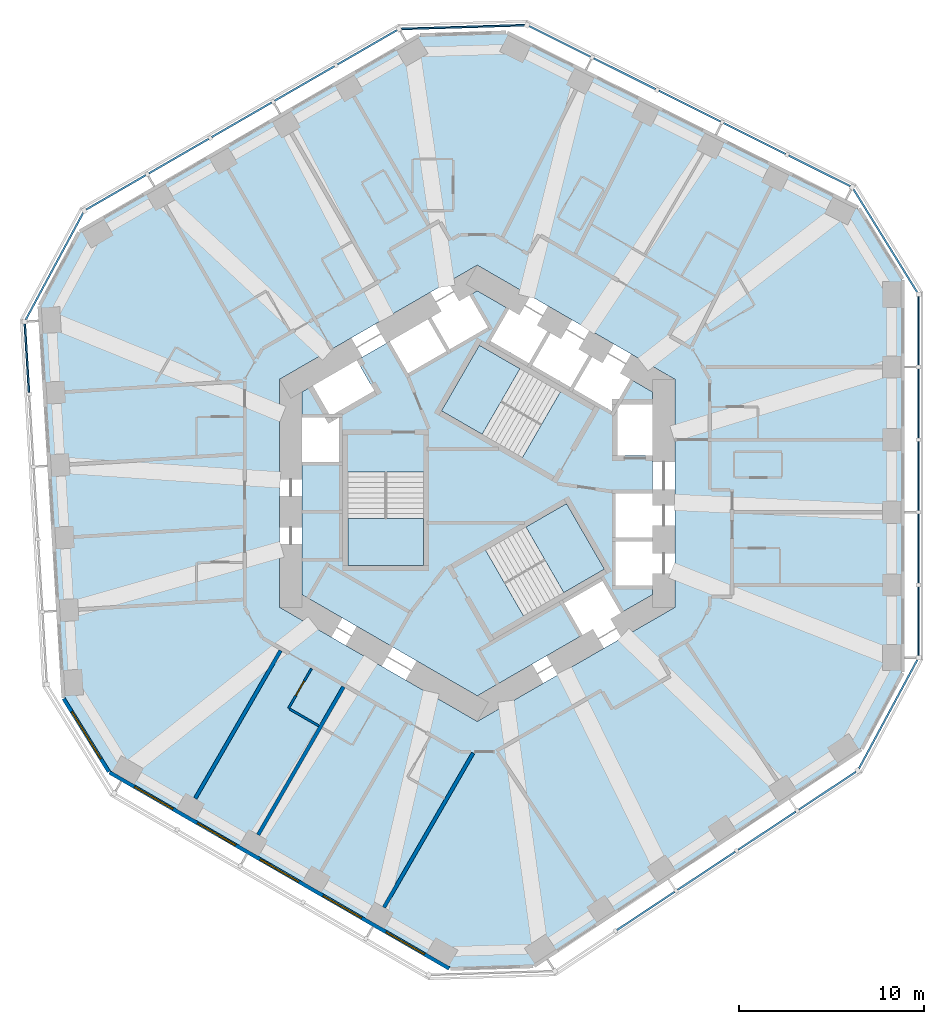
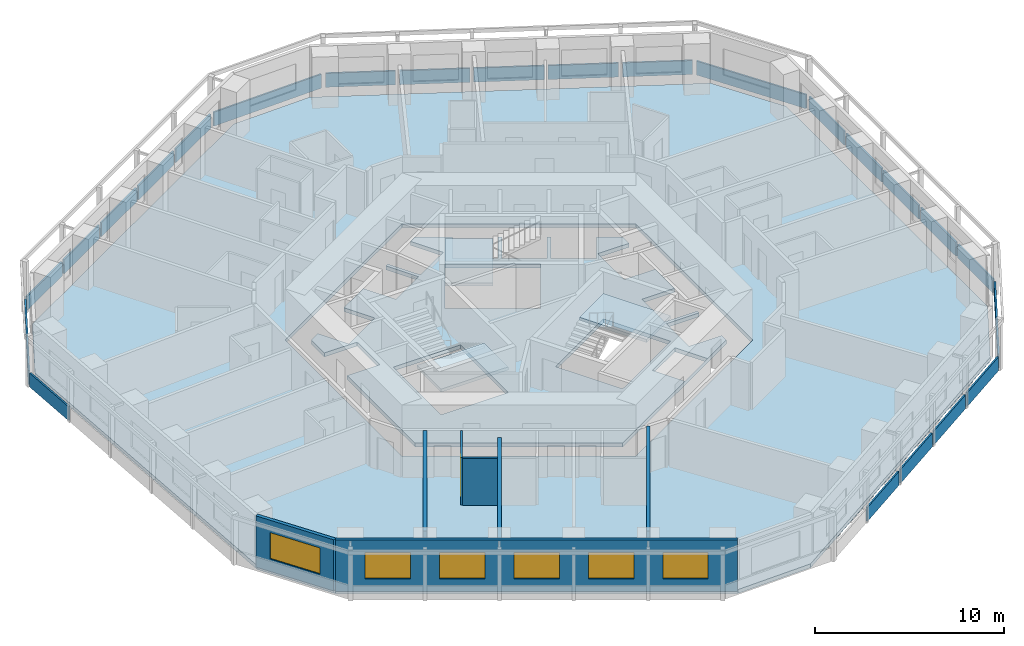
# One storey, part 3 of 12: 24 plates, 7 walls, 6 windows, 5 slabs, 1 door, 7 openings, 12 elements without a shape of their own.
"""IFC4 building model written with IfcOpenShell, lengths in metres."""

from ifc_helpers import new_model, si_unit, direction, frame, frame_2d, origin, origin_2d, place, context, subcontext, project, spatial, polyline, rectangle, outline, extrude, material, layer, layer_set, type_object, element, fill, aggregate, save


model = new_model("IFC4")

# Units and contexts
model_context = context("Model", 3, precision=1e-05, world=origin(), true_north=direction((0.0, 1.0)))
body_context = subcontext(model_context, "Body", "Model", "MODEL_VIEW")
ifc_project = project(units=[si_unit("LENGTHUNIT", "METRE"), si_unit("AREAUNIT", "SQUARE_METRE"), si_unit("VOLUMEUNIT", "CUBIC_METRE"), si_unit("PLANEANGLEUNIT", "RADIAN"), si_unit("MASSUNIT", "GRAM", prefix="KILO")], contexts=[model_context])

# Site, building, storey
site_placement = place(None, origin())
site = spatial("IfcSite", under=ifc_project, at=site_placement, CompositionType="ELEMENT")
building_placement = place(site_placement, origin())
building = spatial("IfcBuilding", under=site, at=building_placement, Name="Vanh Sen Convention Tower", CompositionType="ELEMENT")
storey_placement = place(building_placement, frame((0.0, 0.0, 86.89990234375)))
storey = spatial("IfcBuildingStorey", under=building, at=storey_placement, Name="L19", CompositionType="ELEMENT", Elevation=86.89990234375)

# Slabs
ifc_material_1 = material(Name="Concrete C40/50", Category="concrete")
ifc_layer_1 = layer(ifc_material_1, 0.25)
ifc_layer_set_1 = layer_set([ifc_layer_1], Name="Concrete C40/50")
slab_type_1 = type_object("IfcSlabType", Name="Core slab 250", PredefinedType="FLOOR", material=ifc_layer_set_1)
slab_1_placement = place(storey_placement, frame((0.0, 0.0, -0.25)))
element("IfcSlab", 1, at=slab_1_placement, inside=storey, type_object=slab_type_1, Name="Core slab L19", PredefinedType="FLOOR", context=body_context, shape_type="SweptSolid", body=[
    extrude(outline(polyline([(9.5, 5.48486328125), (9.5, 4.800048828125), (7.60009765625, 4.800048828125), (7.60009765625, 2.050048828125), (9.5, 2.050048828125), (9.5, 0.0), (7.5, 0.0), (7.5, -2.39990234375), (9.5, -2.39990234375), (9.5, -2.60009765625), (7.5, -2.60009765625), (7.5, -5.0), (9.5, -5.0), (9.5, -5.48486328125), (0.0, -10.9697265625), (-9.5, -5.48486328125), (-9.5, 1.699951171875), (-7.5, 1.699951171875), (-7.5, 4.10009765625), (-9.5, 4.10009765625), (-9.5, 5.48486328125), (-8.906982421875, 5.8271484375), (-7.956787109375, 4.181884765625), (-5.575439453125, 5.556884765625), (-6.525390625, 7.2021484375), (-4.75, 8.227294921875), (-3.75, 6.4951171875), (-1.67138671875, 7.6953125), (-2.67138671875, 9.42724609375), (-2.498291015625, 9.527099609375), (-1.498291015625, 7.795166015625), (0.580078125, 8.9951171875), (-0.419921875, 10.727294921875), (0.0, 10.9697265625), (1.718994140625, 9.977294921875), (0.718994140625, 8.2451171875), (2.79736328125, 7.045166015625), (3.79736328125, 8.777099609375), (3.970703125, 8.67724609375), (2.970703125, 6.9453125), (5.049072265625, 5.7451171875), (6.049072265625, 7.477294921875), (6.22216796875, 7.377197265625), (5.22216796875, 5.645263671875), (7.30078125, 4.4453125), (8.30078125, 6.17724609375), (9.5, 5.48486328125)]), holes=[polyline([(-7.0, 3.14990234375), (-7.0, -3.909912109375), (-2.89990234375, -3.909912109375), (-2.89990234375, 3.14990234375), (-2.89990234375, 1.1494140625), (-7.0, 1.1494140625), (-7.0, 3.14990234375)]), polyline([(4.495361328125, 5.487548828125), (6.22802734375, 4.4873046875), (0.11376953125, 8.01708984375), (-1.936279296875, 4.466552734375), (2.4453125, 1.936767578125), (4.495361328125, 5.487548828125)]), polyline([(7.781005859375, -6.477294921875), (6.781005859375, -4.7451171875), (4.70263671875, -5.9453125), (5.70263671875, -7.67724609375), (7.781005859375, -6.477294921875)]), polyline([(0.45458984375, -3.086181640625), (2.504638671875, -6.63671875), (6.88623046875, -4.107177734375), (4.836181640625, -0.556396484375), (-1.278076171875, -4.08642578125), (0.45458984375, -3.086181640625)])]), origin(), (0.0, 0.0, 1.0), 0.25),
])
ifc_layer_2 = layer(ifc_material_1, 0.25)
ifc_layer_set_2 = layer_set([ifc_layer_2], Name="Concrete C40/50")
slab_type_2 = type_object("IfcSlabType", Name="Floor slab 250 REI 120", PredefinedType="FLOOR", material=ifc_layer_set_2)
slab_2_placement = place(storey_placement, frame((0.0, 0.0, -0.25)))
element("IfcSlab", 2, at=slab_2_placement, inside=storey, type_object=slab_type_2, Name="Floor slab L19 tower", PredefinedType="FLOOR", context=body_context, shape_type="SweptSolid", body=[
    extrude(outline(polyline([(23.0, -9.69921875), (23.0, 11.57373046875), (20.620361328125, 15.419189453125), (1.58251953125, 24.911376953125), (-3.10009765625, 24.768310546875), (-21.523193359375, 14.131591796875), (-23.663818359375, 10.14794921875), (-22.364990234375, -11.085205078125), (-19.89990234375, -15.069091796875), (-1.476806640625, -25.705322265625), (3.04345703125, -25.5673828125), (20.78271484375, -13.825927734375), (23.0, -9.69921875)]), holes=[polyline([(0.0, 12.355224609375), (-10.699951171875, 6.177490234375), (-10.699951171875, -6.177490234375), (0.0, -12.355224609375), (10.699951171875, -6.177490234375), (10.699951171875, 6.177490234375), (0.0, 12.355224609375)])]), origin(), (0.0, 0.0, 1.0), 0.25),
])

# Curtain wall, plates
ifc_material_2 = material(Name="Concrete C50/60", Category="concrete")
curtain_wall_type = type_object("IfcCurtainWallType", Name="Outer skin hotel zone", PredefinedType="NOTDEFINED", material=ifc_material_2)
curtain_wall_1_placement = place(storey_placement, origin())
curtain_wall_1 = element("IfcCurtainWall", 3, at=curtain_wall_1_placement, inside=storey, type_object=curtain_wall_type, Name="OUTER SKIN E L19", PredefinedType="NOTDEFINED")
ifc_layer_3 = layer(ifc_material_2, 0.10009765625)
ifc_layer_set_3 = layer_set([ifc_layer_3], Name="Concrete C50/60")
plate_type = type_object("IfcPlateType", Name="Outer skin precast screen panel 100", PredefinedType="CURTAIN_PANEL", material=ifc_layer_set_3)
plate_1_placement = place(storey_placement, frame((23.89990234375, -6.91943359375, 0.000244140625), z_axis=(0.0, 0.0, 1.0), x_axis=(0.0, 1.0, 0.0)))
plate_1 = element("IfcPlate", 4, at=plate_1_placement, type_object=plate_type, Name="OUTER SKIN screen panel E-1", PredefinedType="CURTAIN_PANEL", context=body_context, shape_type="SweptSolid", body=[
    extrude(rectangle(XDim=3.709716796875, YDim=0.10009765625, at=origin_2d()), origin(), (0.0, 0.0, 1.0), 0.89990234375),
])
plate_2_placement = place(storey_placement, frame((23.89990234375, -2.997314453125, 0.000244140625), z_axis=(0.0, 0.0, 1.0), x_axis=(0.0, 1.0, 0.0)))
plate_2 = element("IfcPlate", 5, at=plate_2_placement, type_object=plate_type, Name="OUTER SKIN screen panel E-2", PredefinedType="CURTAIN_PANEL", context=body_context, shape_type="SweptSolid", body=[
    extrude(rectangle(XDim=3.734619140625, YDim=0.10009765625, at=origin_2d()), origin(), (0.0, 0.0, 1.0), 0.89990234375),
])
plate_3_placement = place(storey_placement, frame((23.89990234375, 0.937255859375, 0.000244140625), z_axis=(0.0, 0.0, 1.0), x_axis=(0.0, 1.0, 0.0)))
plate_3 = element("IfcPlate", 6, at=plate_3_placement, type_object=plate_type, Name="OUTER SKIN screen panel E-3", PredefinedType="CURTAIN_PANEL", context=body_context, shape_type="SweptSolid", body=[
    extrude(rectangle(XDim=3.734619140625, YDim=0.10009765625, at=origin_2d()), origin(), (0.0, 0.0, 1.0), 0.89990234375),
])
plate_4_placement = place(storey_placement, frame((23.89990234375, 4.871826171875, 0.000244140625), z_axis=(0.0, 0.0, 1.0), x_axis=(0.0, 1.0, 0.0)))
plate_4 = element("IfcPlate", 7, at=plate_4_placement, type_object=plate_type, Name="OUTER SKIN screen panel E-4", PredefinedType="CURTAIN_PANEL", context=body_context, shape_type="SweptSolid", body=[
    extrude(rectangle(XDim=3.734619140625, YDim=0.10009765625, at=origin_2d()), origin(), (0.0, 0.0, 1.0), 0.89990234375),
])
plate_5_placement = place(storey_placement, frame((23.89990234375, 8.7939453125, 0.000244140625), z_axis=(0.0, 0.0, 1.0), x_axis=(0.0, 1.0, 0.0)))
plate_5 = element("IfcPlate", 8, at=plate_5_placement, type_object=plate_type, Name="OUTER SKIN screen panel E-5", PredefinedType="CURTAIN_PANEL", context=body_context, shape_type="SweptSolid", body=[
    extrude(rectangle(XDim=3.709716796875, YDim=0.10009765625, at=origin_2d()), origin(), (0.0, 0.0, 1.0), 0.89990234375),
])
aggregate(curtain_wall_1, [plate_1, plate_2, plate_3, plate_4, plate_5])

# Curtain wall, plate
curtain_wall_2_placement = place(storey_placement, origin())
curtain_wall_2 = element("IfcCurtainWall", 9, at=curtain_wall_2_placement, inside=storey, type_object=curtain_wall_type, Name="OUTER SKIN CH1 L19", PredefinedType="NOTDEFINED")
plate_6_placement = place(storey_placement, frame((22.102783203125, 13.677734375, 0.000244140625), z_axis=(0.0, 0.0, 1.0), x_axis=(-0.526212439506, 0.850353143411, 0.0)))
plate_6 = element("IfcPlate", 10, at=plate_6_placement, type_object=plate_type, Name="OUTER SKIN screen panel CH1-1", PredefinedType="CURTAIN_PANEL", context=body_context, shape_type="SweptSolid", body=[
    extrude(rectangle(XDim=6.580078125, YDim=0.10009765625, at=origin_2d()), origin(), (0.0, 0.0, 1.0), 0.89990234375),
])
aggregate(curtain_wall_2, [plate_6])

# Curtain wall, plates
curtain_wall_3_placement = place(storey_placement, origin())
curtain_wall_3 = element("IfcCurtainWall", 11, at=curtain_wall_3_placement, inside=storey, type_object=curtain_wall_type, Name="OUTER SKIN NE L19", PredefinedType="NOTDEFINED")
plate_7_placement = place(storey_placement, frame((18.5341796875, 17.465087890625, 0.000244140625), z_axis=(0.0, 0.0, 1.0), x_axis=(-0.894935140363, 0.446196251154, 0.0)))
plate_7 = element("IfcPlate", 12, at=plate_7_placement, type_object=plate_type, Name="OUTER SKIN screen panel NE-1", PredefinedType="CURTAIN_PANEL", context=body_context, shape_type="SweptSolid", body=[
    extrude(rectangle(XDim=3.709716796875, YDim=0.10009765625, at=origin_2d()), origin(), (0.0, 0.0, 1.0), 0.89990234375),
])
plate_8_placement = place(storey_placement, frame((15.024169921875, 19.215087890625, 0.000244140625), z_axis=(0.0, 0.0, 1.0), x_axis=(-0.894935140363, 0.446196251154, 0.0)))
plate_8 = element("IfcPlate", 13, at=plate_8_placement, type_object=plate_type, Name="OUTER SKIN screen panel NE-2", PredefinedType="CURTAIN_PANEL", context=body_context, shape_type="SweptSolid", body=[
    extrude(rectangle(XDim=3.734619140625, YDim=0.10009765625, at=origin_2d()), origin(), (0.0, 0.0, 1.0), 0.89990234375),
])
plate_9_placement = place(storey_placement, frame((11.5029296875, 20.970703125, 0.000244140625), z_axis=(0.0, 0.0, 1.0), x_axis=(-0.894935140363, 0.446196251154, 0.0)))
plate_9 = element("IfcPlate", 14, at=plate_9_placement, type_object=plate_type, Name="OUTER SKIN screen panel NE-3", PredefinedType="CURTAIN_PANEL", context=body_context, shape_type="SweptSolid", body=[
    extrude(rectangle(XDim=3.734619140625, YDim=0.10009765625, at=origin_2d()), origin(), (0.0, 0.0, 1.0), 0.89990234375),
])
plate_10_placement = place(storey_placement, frame((7.981689453125, 22.726318359375, 0.000244140625), z_axis=(0.0, 0.0, 1.0), x_axis=(-0.894935140363, 0.446196251154, 0.0)))
plate_10 = element("IfcPlate", 15, at=plate_10_placement, type_object=plate_type, Name="OUTER SKIN screen panel NE-4", PredefinedType="CURTAIN_PANEL", context=body_context, shape_type="SweptSolid", body=[
    extrude(rectangle(XDim=3.734619140625, YDim=0.10009765625, at=origin_2d()), origin(), (0.0, 0.0, 1.0), 0.89990234375),
])
plate_11_placement = place(storey_placement, frame((4.4716796875, 24.476318359375, 0.000244140625), z_axis=(0.0, 0.0, 1.0), x_axis=(-0.894935140363, 0.446196251154, 0.0)))
plate_11 = element("IfcPlate", 16, at=plate_11_placement, type_object=plate_type, Name="OUTER SKIN screen panel NE-5", PredefinedType="CURTAIN_PANEL", context=body_context, shape_type="SweptSolid", body=[
    extrude(rectangle(XDim=3.709716796875, YDim=0.10009765625, at=origin_2d()), origin(), (0.0, 0.0, 1.0), 0.89990234375),
])
aggregate(curtain_wall_3, [plate_7, plate_8, plate_9, plate_10, plate_11])

# Curtain wall, plate
curtain_wall_4_placement = place(storey_placement, origin())
curtain_wall_4 = element("IfcCurtainWall", 17, at=curtain_wall_4_placement, inside=storey, type_object=curtain_wall_type, Name="OUTER SKIN CH2 L19", PredefinedType="NOTDEFINED")
plate_12_placement = place(storey_placement, frame((-0.771484375, 25.253662109375, 0.000244140625), z_axis=(0.0, 0.0, 1.0), x_axis=(-0.999533644135, -0.030536768695, 0.0)))
plate_12 = element("IfcPlate", 18, at=plate_12_placement, type_object=plate_type, Name="OUTER SKIN screen panel CH2-1", PredefinedType="CURTAIN_PANEL", context=body_context, shape_type="SweptSolid", body=[
    extrude(rectangle(XDim=6.696044921875, YDim=0.10009765625, at=origin_2d()), origin(), (0.0, 0.0, 1.0), 0.89990234375),
])
aggregate(curtain_wall_4, [plate_12])

# Curtain wall, plates
curtain_wall_5_placement = place(storey_placement, origin())
curtain_wall_5 = element("IfcCurtainWall", 19, at=curtain_wall_5_placement, inside=storey, type_object=curtain_wall_type, Name="OUTER SKIN NW L19", PredefinedType="NOTDEFINED")
plate_13_placement = place(storey_placement, frame((-5.95751953125, 24.15771484375, 0.000244140625), z_axis=(0.0, 0.0, 1.0), x_axis=(-0.866028021766, -0.499995465495, 0.0)))
plate_13 = element("IfcPlate", 20, at=plate_13_placement, type_object=plate_type, Name="OUTER SKIN screen panel NW-1", PredefinedType="CURTAIN_PANEL", context=body_context, shape_type="SweptSolid", body=[
    extrude(rectangle(XDim=3.709716796875, YDim=0.10009765625, at=origin_2d()), origin(), (0.0, 0.0, 1.0), 0.89990234375),
])
plate_14_placement = place(storey_placement, frame((-9.354248046875, 22.19677734375, 0.000244140625), z_axis=(0.0, 0.0, 1.0), x_axis=(-0.866021040428, -0.500007557478, 0.0)))
plate_14 = element("IfcPlate", 21, at=plate_14_placement, type_object=plate_type, Name="OUTER SKIN screen panel NW-2", PredefinedType="CURTAIN_PANEL", context=body_context, shape_type="SweptSolid", body=[
    extrude(rectangle(XDim=3.734619140625, YDim=0.10009765625, at=origin_2d()), origin(), (0.0, 0.0, 1.0), 0.89990234375),
])
plate_15_placement = place(storey_placement, frame((-12.76171875, 20.2294921875, 0.000244140625), z_axis=(0.0, 0.0, 1.0), x_axis=(-0.866028021766, -0.499995465495, 0.0)))
plate_15 = element("IfcPlate", 22, at=plate_15_placement, type_object=plate_type, Name="OUTER SKIN screen panel NW-3", PredefinedType="CURTAIN_PANEL", context=body_context, shape_type="SweptSolid", body=[
    extrude(rectangle(XDim=3.734619140625, YDim=0.10009765625, at=origin_2d()), origin(), (0.0, 0.0, 1.0), 0.89990234375),
])
plate_16_placement = place(storey_placement, frame((-16.169189453125, 18.26220703125, 0.000244140625), z_axis=(0.0, 0.0, 1.0), x_axis=(-0.866028021766, -0.499995465495, 0.0)))
plate_16 = element("IfcPlate", 23, at=plate_16_placement, type_object=plate_type, Name="OUTER SKIN screen panel NW-4", PredefinedType="CURTAIN_PANEL", context=body_context, shape_type="SweptSolid", body=[
    extrude(rectangle(XDim=3.734619140625, YDim=0.10009765625, at=origin_2d()), origin(), (0.0, 0.0, 1.0), 0.89990234375),
])
plate_17_placement = place(storey_placement, frame((-19.56591796875, 16.301025390625, 0.000244140625), z_axis=(0.0, 0.0, 1.0), x_axis=(-0.866021040428, -0.500007557478, 0.0)))
plate_17 = element("IfcPlate", 24, at=plate_17_placement, type_object=plate_type, Name="OUTER SKIN screen panel NW-5", PredefinedType="CURTAIN_PANEL", context=body_context, shape_type="SweptSolid", body=[
    extrude(rectangle(XDim=3.70947265625, YDim=0.10009765625, at=origin_2d()), origin(), (0.0, 0.0, 1.0), 0.89990234375),
])
aggregate(curtain_wall_5, [plate_13, plate_14, plate_15, plate_16, plate_17])

# Curtain wall, plate
curtain_wall_6_placement = place(storey_placement, origin())
curtain_wall_6 = element("IfcCurtainWall", 25, at=curtain_wall_6_placement, inside=storey, type_object=curtain_wall_type, Name="OUTER SKIN CH3 L19", PredefinedType="NOTDEFINED")
plate_18_placement = place(storey_placement, frame((-22.896728515625, 12.302978515625, 0.000244140625), z_axis=(0.0, 0.0, 1.0), x_axis=(-0.47331812974, -0.880891564303, 0.0)))
plate_18 = element("IfcPlate", 26, at=plate_18_placement, type_object=plate_type, Name="OUTER SKIN screen panel CH3-1", PredefinedType="CURTAIN_PANEL", context=body_context, shape_type="SweptSolid", body=[
    extrude(rectangle(XDim=6.580078125, YDim=0.10009765625, at=origin_2d()), origin(), (0.0, 0.0, 1.0), 0.89990234375),
])
aggregate(curtain_wall_6, [plate_18])

curtain_wall_7_placement = place(storey_placement, origin())
curtain_wall_7 = element("IfcCurtainWall", 27, at=curtain_wall_7_placement, inside=storey, type_object=curtain_wall_type, Name="OUTER SKIN W L19", PredefinedType="NOTDEFINED")
plate_19_placement = place(storey_placement, frame((-24.39208984375, 7.318603515625, 0.000244140625), z_axis=(0.0, 0.0, 1.0), x_axis=(0.061046797461, -0.99813490497, 0.0)))
plate_19 = element("IfcPlate", 28, at=plate_19_placement, type_object=plate_type, Name="OUTER SKIN screen panel W-1", PredefinedType="CURTAIN_PANEL", context=body_context, shape_type="SweptSolid", body=[
    extrude(rectangle(XDim=3.709716796875, YDim=0.10009765625, at=origin_2d()), origin(), (0.0, 0.0, 1.0), 0.89990234375),
])
aggregate(curtain_wall_7, [plate_19])

# Curtain wall, plates
curtain_wall_8_placement = place(storey_placement, origin())
curtain_wall_8 = element("IfcCurtainWall", 29, at=curtain_wall_8_placement, inside=storey, type_object=curtain_wall_type, Name="OUTER SKIN SE L19", PredefinedType="NOTDEFINED")
plate_20_placement = place(storey_placement, frame((9.128662109375, -22.618896484375, 0.000244140625), z_axis=(0.0, 0.0, 1.0), x_axis=(0.833891601892, 0.55192825285, 0.0)))
plate_20 = element("IfcPlate", 30, at=plate_20_placement, type_object=plate_type, Name="OUTER SKIN screen panel SE-2", PredefinedType="CURTAIN_PANEL", context=body_context, shape_type="SweptSolid", body=[
    extrude(rectangle(XDim=3.734619140625, YDim=0.10009765625, at=origin_2d()), origin(), (0.0, 0.0, 1.0), 0.89990234375),
])
plate_21_placement = place(storey_placement, frame((12.40966796875, -20.447265625, 0.000244140625), z_axis=(0.0, 0.0, 1.0), x_axis=(0.833880042151, 0.551945717714, 0.0)))
plate_21 = element("IfcPlate", 31, at=plate_21_placement, type_object=plate_type, Name="OUTER SKIN screen panel SE-3", PredefinedType="CURTAIN_PANEL", context=body_context, shape_type="SweptSolid", body=[
    extrude(rectangle(XDim=3.734619140625, YDim=0.10009765625, at=origin_2d()), origin(), (0.0, 0.0, 1.0), 0.89990234375),
])
plate_22_placement = place(storey_placement, frame((15.690673828125, -18.275390625, 0.000244140625), z_axis=(0.0, 0.0, 1.0), x_axis=(0.833891601892, 0.55192825285, 0.0)))
plate_22 = element("IfcPlate", 32, at=plate_22_placement, type_object=plate_type, Name="OUTER SKIN screen panel SE-4", PredefinedType="CURTAIN_PANEL", context=body_context, shape_type="SweptSolid", body=[
    extrude(rectangle(XDim=3.734619140625, YDim=0.10009765625, at=origin_2d()), origin(), (0.0, 0.0, 1.0), 0.89990234375),
])
plate_23_placement = place(storey_placement, frame((18.961181640625, -16.11083984375, 0.000244140625), z_axis=(0.0, 0.0, 1.0), x_axis=(0.833880042151, 0.551945717714, 0.0)))
plate_23 = element("IfcPlate", 33, at=plate_23_placement, type_object=plate_type, Name="OUTER SKIN screen panel SE-5", PredefinedType="CURTAIN_PANEL", context=body_context, shape_type="SweptSolid", body=[
    extrude(rectangle(XDim=3.709716796875, YDim=0.10009765625, at=origin_2d()), origin(), (0.0, 0.0, 1.0), 0.89990234375),
])
aggregate(curtain_wall_8, [plate_20, plate_21, plate_22, plate_23])

# Curtain wall, plate
curtain_wall_9_placement = place(storey_placement, origin())
curtain_wall_9 = element("IfcCurtainWall", 34, at=curtain_wall_9_placement, inside=storey, type_object=curtain_wall_type, Name="OUTER SKIN CH6 L19", PredefinedType="NOTDEFINED")
plate_24_placement = place(storey_placement, frame((22.256103515625, -11.95849609375, 0.000244140625), z_axis=(0.0, 0.0, 1.0), x_axis=(0.473322742071, 0.880889086003, 0.0)))
plate_24 = element("IfcPlate", 35, at=plate_24_placement, type_object=plate_type, Name="OUTER SKIN screen panel CH6-1", PredefinedType="CURTAIN_PANEL", context=body_context, shape_type="SweptSolid", body=[
    extrude(rectangle(XDim=6.6962890625, YDim=0.10009765625, at=origin_2d()), origin(), (0.0, 0.0, 1.0), 0.89990234375),
])
aggregate(curtain_wall_9, [plate_24])

# Stair, slab
ifc_material_3 = material(Name="Concrete C50/60", Category="concrete")
stair_type_1 = type_object("IfcStairType", Name="Exit stair ST1 20 risers at 165.0", PredefinedType="HALF_TURN_STAIR", material=ifc_material_3)
stair_1_placement = place(storey_placement, origin())
stair_1 = element("IfcStair", 36, at=stair_1_placement, inside=storey, type_object=stair_type_1, Name="Exit stair ST1 L19", PredefinedType="HALF_TURN_STAIR")
ifc_layer_4 = layer(ifc_material_1, 0.199951171875)
ifc_layer_set_4 = layer_set([ifc_layer_4], Name="Concrete C40/50")
slab_type_3 = type_object("IfcSlabType", Name="Stair landing 200", PredefinedType="LANDING", material=ifc_layer_set_4)
slab_3_placement = place(storey_placement, frame((0.0, 0.0, 1.4501953125)))
slab_3 = element("IfcSlab", 37, at=slab_3_placement, type_object=slab_type_3, Name="ST1 landing 1", PredefinedType="LANDING", context=body_context, shape_type="SweptSolid", body=[
    extrude(outline(polyline([(2.314208984375, 6.746826171875), (0.11376953125, 8.01708984375), (-1.936279296875, 4.466552734375), (0.26416015625, 3.196044921875), (2.314208984375, 6.746826171875)])), origin(), (0.0, 0.0, 1.0), 0.199951171875),
])
aggregate(stair_1, [slab_3])

stair_type_2 = type_object("IfcStairType", Name="Exit stair ST2 20 risers at 165.0", PredefinedType="HALF_TURN_STAIR", material=ifc_material_3)
stair_2_placement = place(storey_placement, origin())
stair_2 = element("IfcStair", 38, at=stair_2_placement, inside=storey, type_object=stair_type_2, Name="Exit stair ST2 L19", PredefinedType="HALF_TURN_STAIR")
slab_4_placement = place(storey_placement, frame((0.0, 0.0, 1.4501953125)))
slab_4 = element("IfcSlab", 39, at=slab_4_placement, type_object=slab_type_3, Name="ST2 landing 1", PredefinedType="LANDING", context=body_context, shape_type="SweptSolid", body=[
    extrude(outline(polyline([(-7.0, -1.369384765625), (-7.0, -3.909912109375), (-2.89990234375, -3.909912109375), (-2.89990234375, -1.369384765625), (-7.0, -1.369384765625)])), origin(), (0.0, 0.0, 1.0), 0.199951171875),
])
aggregate(stair_2, [slab_4])

stair_type_3 = type_object("IfcStairType", Name="Exit stair ST3 20 risers at 165.0", PredefinedType="HALF_TURN_STAIR", material=ifc_material_3)
stair_3_placement = place(storey_placement, origin())
stair_3 = element("IfcStair", 40, at=stair_3_placement, inside=storey, type_object=stair_type_3, Name="Exit stair ST3 L19", PredefinedType="HALF_TURN_STAIR")
slab_5_placement = place(storey_placement, frame((0.0, 0.0, 1.4501953125)))
slab_5 = element("IfcSlab", 41, at=slab_5_placement, type_object=slab_type_3, Name="ST3 landing 1", PredefinedType="LANDING", context=body_context, shape_type="SweptSolid", body=[
    extrude(outline(polyline([(4.685791015625, -5.37744140625), (6.88623046875, -4.107177734375), (4.836181640625, -0.556396484375), (2.6357421875, -1.826904296875), (4.685791015625, -5.37744140625)])), origin(), (0.0, 0.0, 1.0), 0.199951171875),
])
aggregate(stair_3, [slab_5])

# Wall, opening, door
ifc_material_4 = material(Name="Moisture-resistant gypsum board on steel studs", Category="steel")
ifc_layer_5 = layer(ifc_material_4, 0.1201171875)
ifc_layer_set_5 = layer_set([ifc_layer_5], Name="Moisture-resistant gypsum board on steel studs")
wall_type_1 = type_object("IfcWallType", Name="Bathroom partition 120", PredefinedType="PARTITIONING", material=ifc_layer_set_5)
wall_1_placement = place(storey_placement, frame((-10.22412109375, -11.6484375, 0.0), z_axis=(0.0, 0.0, 1.0), x_axis=(0.500004234368, 0.866022959057, 0.0)))
wall_1 = element("IfcWall", 42, at=wall_1_placement, inside=storey, type_object=wall_type_1, Name="Bathroom partition 120", PredefinedType="PARTITIONING", context=body_context, shape_type="SweptSolid", body=[
    extrude(rectangle(XDim=2.5, YDim=0.1201171875, at=frame_2d((1.25, 0.0))), origin(), (0.0, 0.0, 1.0), 3.050048828125),
])
opening_1_placement = place(wall_1_placement, frame((0.800048828125, 0.0, 0.0)))
opening_1 = element("IfcOpeningElement", 43, at=opening_1_placement, cuts=wall_1, Name="Opening D19132", PredefinedType="OPENING", context=body_context, shape_type="SweptSolid", body=[
    extrude(rectangle(XDim=0.89990234375, YDim=2.10009765625, at=frame_2d((0.449951171875, 1.050048828125))), frame((0.0, 0.070068359375, 0.0), z_axis=(0.0, -1.0, 0.0), x_axis=(1.0, 0.0, 0.0)), (0.0, 0.0, 1.0), 0.14013671875),
])
ifc_material_5 = material(Name="Laminate door in steel frame", Category="steel")
door_type = type_object("IfcDoorType", Name="En-suite door 900", OperationType="SINGLE_SWING_LEFT", PredefinedType="DOOR", material=ifc_material_5)
door_placement = place(opening_1_placement, origin())
door = element("IfcDoor", 44, at=door_placement, inside=storey, type_object=door_type, Name="En-suite door D19132", OperationType="SINGLE_SWING_LEFT", OverallHeight=2.10009765625, OverallWidth=0.89990234375, PredefinedType="DOOR", context=body_context, shape_type="SweptSolid", body=[
    extrude(rectangle(XDim=0.89990234375, YDim=2.10009765625, at=frame_2d((0.449951171875, 1.050048828125))), frame((0.0, 0.02490234375, 0.0), z_axis=(0.0, -1.0, 0.0), x_axis=(1.0, 0.0, 0.0)), (0.0, 0.0, 1.0), 0.050048828125),
])
fill(opening_1, door)

# Wall
wall_2_placement = place(storey_placement, frame((-8.57861328125, -12.598388671875, 0.0), z_axis=(0.0, 0.0, 1.0), x_axis=(-0.866046386007, 0.499963655964, 0.0)))
element("IfcWall", 45, at=wall_2_placement, inside=storey, type_object=wall_type_1, Name="Bathroom partition 120", PredefinedType="PARTITIONING", context=body_context, shape_type="SweptSolid", body=[
    extrude(rectangle(XDim=1.840087890625, YDim=0.1201171875, at=frame_2d((0.919921875, 0.0))), origin(), (0.0, 0.0, 1.0), 3.050048828125),
])

# Wall, opening, window
ifc_material_6 = material(Name="Insulated lightweight infill wall")
ifc_layer_6 = layer(ifc_material_6, 0.199951171875)
ifc_layer_set_6 = layer_set([ifc_layer_6], Name="Insulated lightweight infill wall")
wall_type_2 = type_object("IfcWallType", Name="External wall 200", PredefinedType="STANDARD", material=ifc_layer_set_6)
wall_3_placement = place(storey_placement, frame((-22.40087890625, -11.122314453125, 0.0), z_axis=(0.0, 0.0, 1.0), x_axis=(0.526197679914, -0.850362276711, 0.0)))
wall_3 = element("IfcWall", 46, at=wall_3_placement, inside=storey, type_object=wall_type_2, Name="External wall CH4 L19", PredefinedType="STANDARD", context=body_context, shape_type="SweptSolid", body=[
    extrude(rectangle(XDim=4.65966796875, YDim=0.199951171875, at=frame_2d((2.329833984375, 0.0))), origin(), (0.0, 0.0, 1.0), 3.300048828125),
])
opening_2_placement = place(wall_3_placement, frame((0.829833984375, 0.0, 0.800048828125)))
opening_2 = element("IfcOpeningElement", 47, at=opening_2_placement, cuts=wall_3, Name="Opening WH2-CH41", PredefinedType="OPENING", context=body_context, shape_type="SweptSolid", body=[
    extrude(rectangle(XDim=3.0, YDim=1.699951171875, at=frame_2d((1.5, 0.85009765625))), frame((0.0, 0.10986328125, 0.0), z_axis=(0.0, -1.0, 0.0), x_axis=(1.0, 0.0, 0.0)), (0.0, 0.0, 1.0), 0.219970703125),
])
ifc_material_7 = material(Name="Aluminium frame with clear low-emissivity glass", Category="aluminium")
window_type_1 = type_object("IfcWindowType", Name="Hotel window 3000 x 1700", PartitioningType="SINGLE_PANEL", PredefinedType="WINDOW", material=ifc_material_7)
window_1_placement = place(opening_2_placement, origin())
window_1 = element("IfcWindow", 48, at=window_1_placement, inside=storey, type_object=window_type_1, Name="Window WH2-CH41", OverallHeight=1.699951171875, OverallWidth=3.0, PartitioningType="SINGLE_PANEL", PredefinedType="WINDOW", context=body_context, shape_type="SweptSolid", body=[
    extrude(rectangle(XDim=3.0, YDim=1.699951171875, at=frame_2d((1.5, 0.85009765625))), frame((0.0, 0.030029296875, 0.0), z_axis=(0.0, -1.0, 0.0), x_axis=(1.0, 0.0, 0.0)), (0.0, 0.0, 1.0), 0.06005859375),
])
fill(opening_2, window_1)

# Wall, openings, windows
wall_4_placement = place(storey_placement, frame((-19.913818359375, -15.11865234375, 0.0), z_axis=(0.0, 0.0, 1.0), x_axis=(0.866025418898, -0.499999973822, 0.0)))
wall_4 = element("IfcWall", 49, at=wall_4_placement, inside=storey, type_object=wall_type_2, Name="External wall SW L19", PredefinedType="STANDARD", context=body_context, shape_type="SweptSolid", body=[
    extrude(rectangle(XDim=21.24609375, YDim=0.199951171875, at=frame_2d((10.623046875, 0.0))), origin(), (0.0, 0.0, 1.0), 3.300048828125),
])
opening_3_placement = place(wall_4_placement, frame((1.5546875, 0.0, 0.800048828125)))
opening_3 = element("IfcOpeningElement", 50, at=opening_3_placement, cuts=wall_4, Name="Opening WH1-SW1", PredefinedType="OPENING", context=body_context, shape_type="SweptSolid", body=[
    extrude(rectangle(XDim=2.39990234375, YDim=1.699951171875, at=frame_2d((1.199951171875, 0.85009765625))), frame((0.0, 0.10986328125, 0.0), z_axis=(0.0, -1.0, 0.0), x_axis=(1.0, 0.0, 0.0)), (0.0, 0.0, 1.0), 0.219970703125),
])
opening_4_placement = place(wall_4_placement, frame((5.4892578125, 0.0, 0.800048828125)))
opening_4 = element("IfcOpeningElement", 51, at=opening_4_placement, cuts=wall_4, Name="Opening WH1-SW2", PredefinedType="OPENING", context=body_context, shape_type="SweptSolid", body=[
    extrude(rectangle(XDim=2.39990234375, YDim=1.699951171875, at=frame_2d((1.199951171875, 0.85009765625))), frame((0.0, 0.10986328125, 0.0), z_axis=(0.0, -1.0, 0.0), x_axis=(1.0, 0.0, 0.0)), (0.0, 0.0, 1.0), 0.219970703125),
])
opening_5_placement = place(wall_4_placement, frame((9.423828125, 0.0, 0.800048828125)))
opening_5 = element("IfcOpeningElement", 52, at=opening_5_placement, cuts=wall_4, Name="Opening WH1-SW3", PredefinedType="OPENING", context=body_context, shape_type="SweptSolid", body=[
    extrude(rectangle(XDim=2.39990234375, YDim=1.699951171875, at=frame_2d((1.199951171875, 0.85009765625))), frame((0.0, 0.10986328125, 0.0), z_axis=(0.0, -1.0, 0.0), x_axis=(1.0, 0.0, 0.0)), (0.0, 0.0, 1.0), 0.219970703125),
])
opening_6_placement = place(wall_4_placement, frame((13.3583984375, 0.0, 0.800048828125)))
opening_6 = element("IfcOpeningElement", 53, at=opening_6_placement, cuts=wall_4, Name="Opening WH1-SW4", PredefinedType="OPENING", context=body_context, shape_type="SweptSolid", body=[
    extrude(rectangle(XDim=2.39990234375, YDim=1.699951171875, at=frame_2d((1.199951171875, 0.85009765625))), frame((0.0, 0.10986328125, 0.0), z_axis=(0.0, -1.0, 0.0), x_axis=(1.0, 0.0, 0.0)), (0.0, 0.0, 1.0), 0.219970703125),
])
opening_7_placement = place(wall_4_placement, frame((17.293212890625, 0.0, 0.800048828125)))
opening_7 = element("IfcOpeningElement", 54, at=opening_7_placement, cuts=wall_4, Name="Opening WH1-SW5", PredefinedType="OPENING", context=body_context, shape_type="SweptSolid", body=[
    extrude(rectangle(XDim=2.39990234375, YDim=1.699951171875, at=frame_2d((1.199951171875, 0.85009765625))), frame((0.0, 0.10986328125, 0.0), z_axis=(0.0, -1.0, 0.0), x_axis=(1.0, 0.0, 0.0)), (0.0, 0.0, 1.0), 0.219970703125),
])
window_type_2 = type_object("IfcWindowType", Name="Hotel window 2400 x 1700", PartitioningType="SINGLE_PANEL", PredefinedType="WINDOW", material=ifc_material_7)
window_2_placement = place(opening_3_placement, origin())
window_2 = element("IfcWindow", 55, at=window_2_placement, inside=storey, type_object=window_type_2, Name="Window WH1-SW1", OverallHeight=1.699951171875, OverallWidth=2.39990234375, PartitioningType="SINGLE_PANEL", PredefinedType="WINDOW", context=body_context, shape_type="SweptSolid", body=[
    extrude(rectangle(XDim=2.39990234375, YDim=1.699951171875, at=frame_2d((1.199951171875, 0.85009765625))), frame((0.0, 0.030029296875, 0.0), z_axis=(0.0, -1.0, 0.0), x_axis=(1.0, 0.0, 0.0)), (0.0, 0.0, 1.0), 0.06005859375),
])
fill(opening_3, window_2)
window_3_placement = place(opening_4_placement, origin())
window_3 = element("IfcWindow", 56, at=window_3_placement, inside=storey, type_object=window_type_2, Name="Window WH1-SW2", OverallHeight=1.699951171875, OverallWidth=2.39990234375, PartitioningType="SINGLE_PANEL", PredefinedType="WINDOW", context=body_context, shape_type="SweptSolid", body=[
    extrude(rectangle(XDim=2.39990234375, YDim=1.699951171875, at=frame_2d((1.199951171875, 0.85009765625))), frame((0.0, 0.030029296875, 0.0), z_axis=(0.0, -1.0, 0.0), x_axis=(1.0, 0.0, 0.0)), (0.0, 0.0, 1.0), 0.06005859375),
])
fill(opening_4, window_3)
window_4_placement = place(opening_5_placement, origin())
window_4 = element("IfcWindow", 57, at=window_4_placement, inside=storey, type_object=window_type_2, Name="Window WH1-SW3", OverallHeight=1.699951171875, OverallWidth=2.39990234375, PartitioningType="SINGLE_PANEL", PredefinedType="WINDOW", context=body_context, shape_type="SweptSolid", body=[
    extrude(rectangle(XDim=2.39990234375, YDim=1.699951171875, at=frame_2d((1.199951171875, 0.85009765625))), frame((0.0, 0.030029296875, 0.0), z_axis=(0.0, -1.0, 0.0), x_axis=(1.0, 0.0, 0.0)), (0.0, 0.0, 1.0), 0.06005859375),
])
fill(opening_5, window_4)
window_5_placement = place(opening_6_placement, origin())
window_5 = element("IfcWindow", 58, at=window_5_placement, inside=storey, type_object=window_type_2, Name="Window WH1-SW4", OverallHeight=1.699951171875, OverallWidth=2.39990234375, PartitioningType="SINGLE_PANEL", PredefinedType="WINDOW", context=body_context, shape_type="SweptSolid", body=[
    extrude(rectangle(XDim=2.39990234375, YDim=1.699951171875, at=frame_2d((1.199951171875, 0.85009765625))), frame((0.0, 0.030029296875, 0.0), z_axis=(0.0, -1.0, 0.0), x_axis=(1.0, 0.0, 0.0)), (0.0, 0.0, 1.0), 0.06005859375),
])
fill(opening_6, window_5)
window_6_placement = place(opening_7_placement, origin())
window_6 = element("IfcWindow", 59, at=window_6_placement, inside=storey, type_object=window_type_2, Name="Window WH1-SW5", OverallHeight=1.699951171875, OverallWidth=2.39990234375, PartitioningType="SINGLE_PANEL", PredefinedType="WINDOW", context=body_context, shape_type="SweptSolid", body=[
    extrude(rectangle(XDim=2.39990234375, YDim=1.699951171875, at=frame_2d((1.199951171875, 0.85009765625))), frame((0.0, 0.030029296875, 0.0), z_axis=(0.0, -1.0, 0.0), x_axis=(1.0, 0.0, 0.0)), (0.0, 0.0, 1.0), 0.06005859375),
])
fill(opening_7, window_6)

# Walls
ifc_material_8 = material(Name="Gypsum board on steel studs with mineral wool", Category="steel")
ifc_layer_7 = layer(ifc_material_8, 0.199951171875)
ifc_layer_set_7 = layer_set([ifc_layer_7], Name="Gypsum board on steel studs with mineral wool")
wall_type_3 = type_object("IfcWallType", Name="Hotel party wall 200", PredefinedType="PARTITIONING", material=ifc_layer_set_7)
wall_5_placement = place(storey_placement, frame((-15.2744140625, -16.527099609375, 0.0), z_axis=(0.0, 0.0, 1.0), x_axis=(0.49998823431, 0.866032196602, 0.0)))
element("IfcWall", 60, at=wall_5_placement, inside=storey, type_object=wall_type_3, Name="Hotel party wall 200", PredefinedType="PARTITIONING", context=body_context, shape_type="SweptSolid", body=[
    extrude(rectangle(XDim=9.250244140625, YDim=0.199951171875, at=frame_2d((4.625, 0.0))), origin(), (0.0, 0.0, 1.0), 3.050048828125),
])
wall_6_placement = place(storey_placement, frame((-11.8671875, -18.494140625, 0.0), z_axis=(0.0, 0.0, 1.0), x_axis=(0.499999662836, 0.866025598446, 0.0)))
element("IfcWall", 61, at=wall_6_placement, inside=storey, type_object=wall_type_3, Name="Hotel party wall 200", PredefinedType="PARTITIONING", context=body_context, shape_type="SweptSolid", body=[
    extrude(rectangle(XDim=9.25, YDim=0.199951171875, at=frame_2d((4.625, 0.0))), origin(), (0.0, 0.0, 1.0), 2.60009765625),
])
wall_7_placement = place(storey_placement, frame((-5.052001953125, -22.4287109375, 0.0), z_axis=(0.0, 0.0, 1.0), x_axis=(0.50000569793, 0.866022114058, 0.0)))
element("IfcWall", 62, at=wall_7_placement, inside=storey, type_object=wall_type_3, Name="Hotel party wall 200", PredefinedType="PARTITIONING", context=body_context, shape_type="SweptSolid", body=[
    extrude(rectangle(XDim=9.64990234375, YDim=0.199951171875, at=frame_2d((4.824951171875, 0.0))), origin(), (0.0, 0.0, 1.0), 3.050048828125),
])

save(model, "model.ifc")
